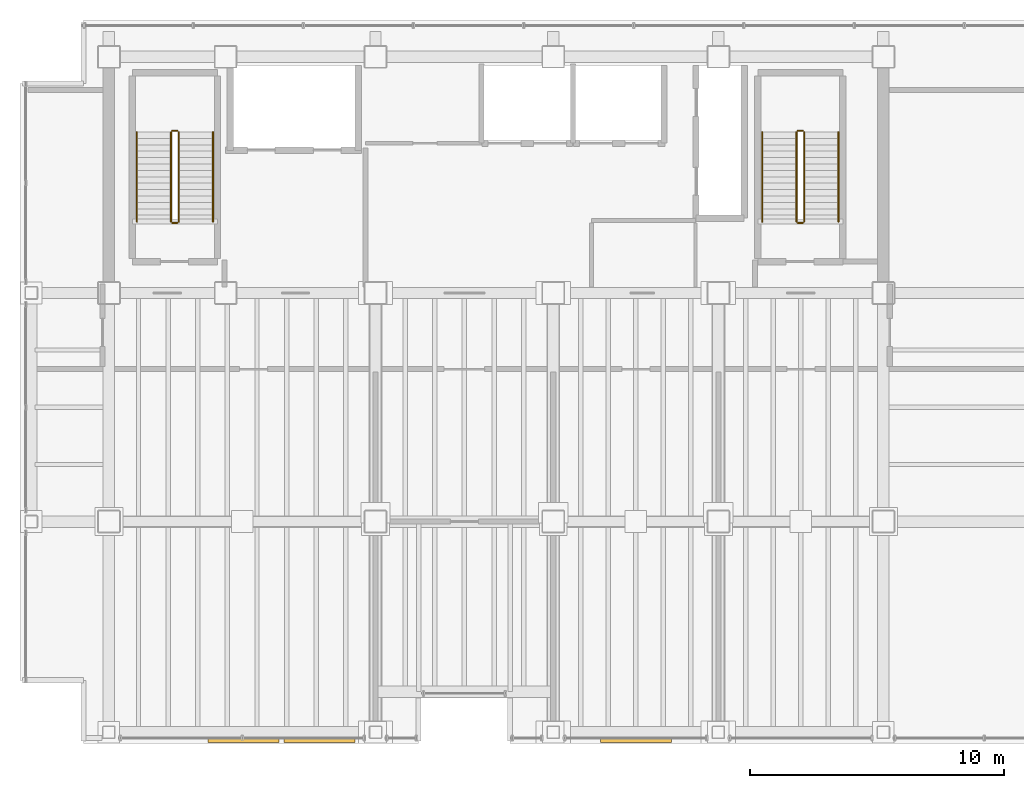
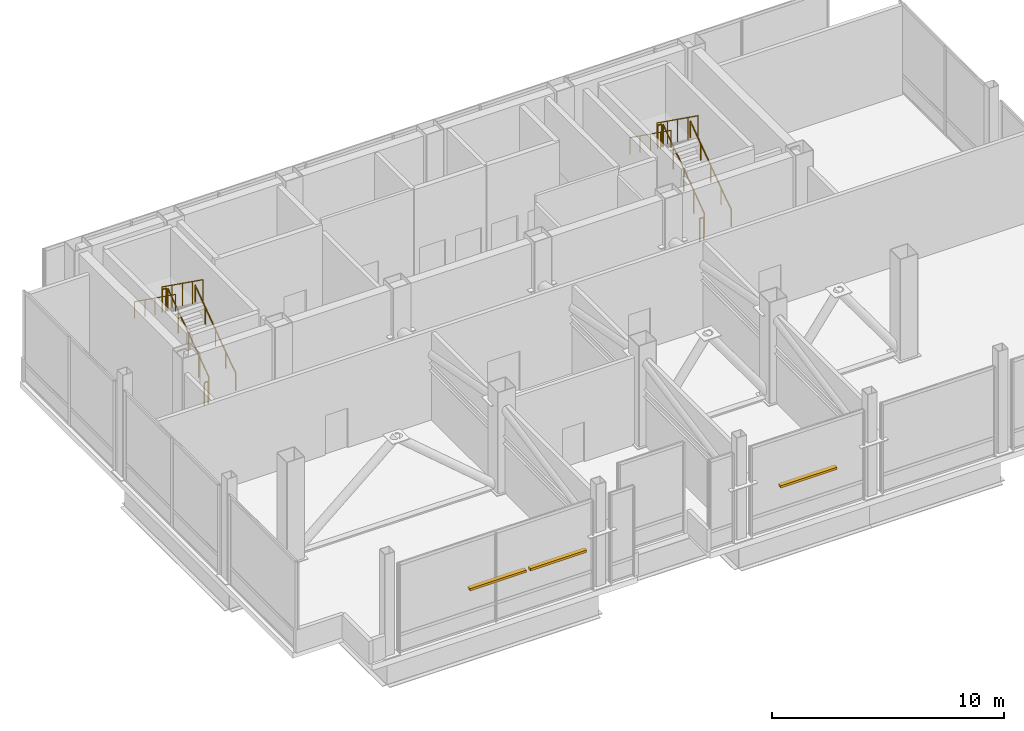
# One storey, part 18 of 18: 12 railings, 3 shading devices.
"""IFC4 building model written with IfcOpenShell, lengths in metres."""

from ifc_helpers import new_model, si_unit, direction, frame, origin, origin_2d, place, context, subcontext, project, spatial, rectangle, circle, extrude, material, layer, layer_set, type_object, element, save


model = new_model("IFC4")

# Units and contexts
model_context = context("Model", 3, precision=1e-05, world=origin(), true_north=direction((0.0, 1.0)))
body_context = subcontext(model_context, "Body", "Model", "MODEL_VIEW")
ifc_project = project(units=[si_unit("LENGTHUNIT", "METRE"), si_unit("AREAUNIT", "SQUARE_METRE"), si_unit("VOLUMEUNIT", "CUBIC_METRE"), si_unit("PLANEANGLEUNIT", "RADIAN"), si_unit("MASSUNIT", "GRAM", prefix="KILO")], contexts=[model_context])

# Site, building, storey
site_placement = place(None, origin())
site = spatial("IfcSite", under=ifc_project, at=site_placement, CompositionType="ELEMENT")
building_placement = place(site_placement, origin())
building = spatial("IfcBuilding", under=site, at=building_placement, Name="Noeulbin Bourse Tower", CompositionType="ELEMENT")
storey_placement = place(building_placement, frame((0.0, 0.0, 200.699951171875)))
storey = spatial("IfcBuildingStorey", under=building, at=storey_placement, Name="L50", CompositionType="ELEMENT", Elevation=200.699951171875)

# Railings
ifc_material_1 = material(Name="Painted Tubular Steel S355", Category="steel")
ifc_layer_1 = layer(ifc_material_1, 0.048095703125)
ifc_layer_set_1 = layer_set([ifc_layer_1], Name="Painted Tubular Steel S355")
railing_type_1 = type_object("IfcRailingType", Name="RLG-STR-GRD", PredefinedType="GUARDRAIL", material=ifc_layer_set_1)
railing_1_placement = place(storey_placement, frame((16.25, 31.81005859375, 0.179931640625)))
element("IfcRailing", 1, at=railing_1_placement, inside=storey, type_object=railing_type_1, Name="L50 ST-1 stair guard 1", PredefinedType="GUARDRAIL", context=body_context, shape_type="SweptSolid", body=[
    extrude(circle(Radius=0.02392578125, at=origin_2d()), frame((0.0, 0.0, 1.17578125), z_axis=(0.0, 0.813718251284, 0.581259501021), x_axis=(-1.0, 0.0, 0.0)), (0.0, 0.0, 1.0), 4.33544921875),
    extrude(circle(Radius=0.02099609375, at=origin_2d()), origin(), (0.0, 0.0, 1.0), 1.15185546875),
    extrude(circle(Radius=0.02099609375, at=origin_2d()), frame((0.0, 0.8818359375, 0.6298828125)), (0.0, 0.0, 1.0), 1.15185546875),
    extrude(circle(Radius=0.02099609375, at=origin_2d()), frame((0.0, 1.763916015625, 1.260009765625)), (0.0, 0.0, 1.0), 1.15185546875),
    extrude(circle(Radius=0.02099609375, at=origin_2d()), frame((0.0, 2.64599609375, 1.89013671875)), (0.0, 0.0, 1.0), 1.15185546875),
    extrude(circle(Radius=0.02099609375, at=origin_2d()), frame((0.0, 3.52783203125, 2.52001953125)), (0.0, 0.0, 1.0), 1.15185546875),
])
railing_2_placement = place(storey_placement, frame((16.199951171875, 35.387939453125, 2.699951171875)))
element("IfcRailing", 2, at=railing_2_placement, inside=storey, type_object=railing_type_1, Name="L50 ST-1 stair guard 2", PredefinedType="GUARDRAIL", context=body_context, shape_type="SweptSolid", body=[
    extrude(circle(Radius=0.02392578125, at=origin_2d()), frame((0.0, 0.0, 1.17578125), z_axis=(-1.0, 0.0, 0.0), x_axis=(0.0, -1.0, 0.0)), (0.0, 0.0, 1.0), 0.199951171875),
    extrude(circle(Radius=0.02099609375, at=origin_2d()), origin(), (0.0, 0.0, 1.0), 1.15185546875),
    extrude(circle(Radius=0.02099609375, at=origin_2d()), frame((-0.199951171875, 0.0, 0.0)), (0.0, 0.0, 1.0), 1.15185546875),
])
railing_3_placement = place(storey_placement, frame((15.949951171875, 35.337890625, 2.880126953125)))
element("IfcRailing", 3, at=railing_3_placement, inside=storey, type_object=railing_type_1, Name="L50 ST-1 stair guard 3", PredefinedType="GUARDRAIL", context=body_context, shape_type="SweptSolid", body=[
    extrude(circle(Radius=0.02392578125, at=origin_2d()), frame((0.0, 0.0, 1.17578125), z_axis=(0.0, -0.813718251284, 0.581259501021), x_axis=(1.0, 0.0, 0.0)), (0.0, 0.0, 1.0), 4.33544921875),
    extrude(circle(Radius=0.02099609375, at=origin_2d()), origin(), (0.0, 0.0, 1.0), 1.15185546875),
    extrude(circle(Radius=0.02099609375, at=origin_2d()), frame((0.0, -0.8818359375, 0.6298828125)), (0.0, 0.0, 1.0), 1.15185546875),
    extrude(circle(Radius=0.02099609375, at=origin_2d()), frame((0.0, -1.763916015625, 1.260009765625)), (0.0, 0.0, 1.0), 1.15185546875),
    extrude(circle(Radius=0.02099609375, at=origin_2d()), frame((0.0, -2.64599609375, 1.89013671875)), (0.0, 0.0, 1.0), 1.15185546875),
    extrude(circle(Radius=0.02099609375, at=origin_2d()), frame((0.0, -3.52783203125, 2.52001953125)), (0.0, 0.0, 1.0), 1.15185546875),
])
railing_4_placement = place(storey_placement, frame((16.199951171875, 31.760009765625, 0.0)))
element("IfcRailing", 4, at=railing_4_placement, inside=storey, type_object=railing_type_1, Name="L50 ST-1 stair guard 4", PredefinedType="GUARDRAIL", context=body_context, shape_type="SweptSolid", body=[
    extrude(circle(Radius=0.02392578125, at=origin_2d()), frame((0.0, 0.0, 1.17578125), z_axis=(-1.0, 0.0, 0.0), x_axis=(0.0, -1.0, 0.0)), (0.0, 0.0, 1.0), 0.199951171875),
    extrude(circle(Radius=0.02099609375, at=origin_2d()), origin(), (0.0, 0.0, 1.0), 1.15185546875),
    extrude(circle(Radius=0.02099609375, at=origin_2d()), frame((-0.199951171875, 0.0, 0.0)), (0.0, 0.0, 1.0), 1.15185546875),
])
railing_5_placement = place(storey_placement, frame((40.8798828125, 31.81005859375, 0.179931640625)))
element("IfcRailing", 5, at=railing_5_placement, inside=storey, type_object=railing_type_1, Name="L50 ST-2 stair guard 1", PredefinedType="GUARDRAIL", context=body_context, shape_type="SweptSolid", body=[
    extrude(circle(Radius=0.02392578125, at=origin_2d()), frame((0.0, 0.0, 1.17578125), z_axis=(0.0, 0.813718251284, 0.581259501021), x_axis=(-1.0, 0.0, 0.0)), (0.0, 0.0, 1.0), 4.33544921875),
    extrude(circle(Radius=0.02099609375, at=origin_2d()), origin(), (0.0, 0.0, 1.0), 1.15185546875),
    extrude(circle(Radius=0.02099609375, at=origin_2d()), frame((0.0, 0.8818359375, 0.6298828125)), (0.0, 0.0, 1.0), 1.15185546875),
    extrude(circle(Radius=0.02099609375, at=origin_2d()), frame((0.0, 1.763916015625, 1.260009765625)), (0.0, 0.0, 1.0), 1.15185546875),
    extrude(circle(Radius=0.02099609375, at=origin_2d()), frame((0.0, 2.64599609375, 1.89013671875)), (0.0, 0.0, 1.0), 1.15185546875),
    extrude(circle(Radius=0.02099609375, at=origin_2d()), frame((0.0, 3.52783203125, 2.52001953125)), (0.0, 0.0, 1.0), 1.15185546875),
])
railing_6_placement = place(storey_placement, frame((40.830078125, 35.387939453125, 2.699951171875)))
element("IfcRailing", 6, at=railing_6_placement, inside=storey, type_object=railing_type_1, Name="L50 ST-2 stair guard 2", PredefinedType="GUARDRAIL", context=body_context, shape_type="SweptSolid", body=[
    extrude(circle(Radius=0.02392578125, at=origin_2d()), frame((0.0, 0.0, 1.17578125), z_axis=(-1.0, 0.0, 0.0), x_axis=(0.0, -1.0, 0.0)), (0.0, 0.0, 1.0), 0.2001953125),
    extrude(circle(Radius=0.02099609375, at=origin_2d()), origin(), (0.0, 0.0, 1.0), 1.15185546875),
    extrude(circle(Radius=0.02099609375, at=origin_2d()), frame((-0.2001953125, 0.0, 0.0)), (0.0, 0.0, 1.0), 1.15185546875),
])
railing_7_placement = place(storey_placement, frame((40.580078125, 35.337890625, 2.880126953125)))
element("IfcRailing", 7, at=railing_7_placement, inside=storey, type_object=railing_type_1, Name="L50 ST-2 stair guard 3", PredefinedType="GUARDRAIL", context=body_context, shape_type="SweptSolid", body=[
    extrude(circle(Radius=0.02392578125, at=origin_2d()), frame((0.0, 0.0, 1.17578125), z_axis=(0.0, -0.813718251284, 0.581259501021), x_axis=(1.0, 0.0, 0.0)), (0.0, 0.0, 1.0), 4.33544921875),
    extrude(circle(Radius=0.02099609375, at=origin_2d()), origin(), (0.0, 0.0, 1.0), 1.15185546875),
    extrude(circle(Radius=0.02099609375, at=origin_2d()), frame((0.0, -0.8818359375, 0.6298828125)), (0.0, 0.0, 1.0), 1.15185546875),
    extrude(circle(Radius=0.02099609375, at=origin_2d()), frame((0.0, -1.763916015625, 1.260009765625)), (0.0, 0.0, 1.0), 1.15185546875),
    extrude(circle(Radius=0.02099609375, at=origin_2d()), frame((0.0, -2.64599609375, 1.89013671875)), (0.0, 0.0, 1.0), 1.15185546875),
    extrude(circle(Radius=0.02099609375, at=origin_2d()), frame((0.0, -3.52783203125, 2.52001953125)), (0.0, 0.0, 1.0), 1.15185546875),
])
railing_8_placement = place(storey_placement, frame((40.830078125, 31.760009765625, 0.0)))
element("IfcRailing", 8, at=railing_8_placement, inside=storey, type_object=railing_type_1, Name="L50 ST-2 stair guard 4", PredefinedType="GUARDRAIL", context=body_context, shape_type="SweptSolid", body=[
    extrude(circle(Radius=0.02392578125, at=origin_2d()), frame((0.0, 0.0, 1.17578125), z_axis=(-1.0, 0.0, 0.0), x_axis=(0.0, -1.0, 0.0)), (0.0, 0.0, 1.0), 0.2001953125),
    extrude(circle(Radius=0.02099609375, at=origin_2d()), origin(), (0.0, 0.0, 1.0), 1.15185546875),
    extrude(circle(Radius=0.02099609375, at=origin_2d()), frame((-0.2001953125, 0.0, 0.0)), (0.0, 0.0, 1.0), 1.15185546875),
])
ifc_material_2 = material(Name="Brushed Stainless Steel 316", Category="steel")
ifc_layer_2 = layer(ifc_material_2, 0.048095703125)
ifc_layer_set_2 = layer_set([ifc_layer_2], Name="Brushed Stainless Steel 316")
railing_type_2 = type_object("IfcRailingType", Name="RLG-STR-HND", PredefinedType="HANDRAIL", material=ifc_layer_set_2)
railing_9_placement = place(storey_placement, frame((17.60009765625, 31.81005859375, 0.179931640625)))
element("IfcRailing", 9, at=railing_9_placement, inside=storey, type_object=railing_type_2, Name="L50 ST-1 stair handrail 1", PredefinedType="HANDRAIL", context=body_context, shape_type="SweptSolid", body=[
    extrude(circle(Radius=0.02392578125, at=origin_2d()), frame((0.0, 0.0, 0.8759765625), z_axis=(0.0, 0.813718251284, 0.581259501021), x_axis=(-1.0, 0.0, 0.0)), (0.0, 0.0, 1.0), 4.33544921875),
    extrude(circle(Radius=0.02099609375, at=origin_2d()), origin(), (0.0, 0.0, 1.0), 0.851806640625),
    extrude(circle(Radius=0.02099609375, at=origin_2d()), frame((0.0, 0.8818359375, 0.6298828125)), (0.0, 0.0, 1.0), 0.851806640625),
    extrude(circle(Radius=0.02099609375, at=origin_2d()), frame((0.0, 1.763916015625, 1.260009765625)), (0.0, 0.0, 1.0), 0.851806640625),
    extrude(circle(Radius=0.02099609375, at=origin_2d()), frame((0.0, 2.64599609375, 1.89013671875)), (0.0, 0.0, 1.0), 0.851806640625),
    extrude(circle(Radius=0.02099609375, at=origin_2d()), frame((0.0, 3.52783203125, 2.52001953125)), (0.0, 0.0, 1.0), 0.851806640625),
])
railing_10_placement = place(storey_placement, frame((14.60009765625, 35.337890625, 2.880126953125)))
element("IfcRailing", 10, at=railing_10_placement, inside=storey, type_object=railing_type_2, Name="L50 ST-1 stair handrail 2", PredefinedType="HANDRAIL", context=body_context, shape_type="SweptSolid", body=[
    extrude(circle(Radius=0.02392578125, at=origin_2d()), frame((0.0, 0.0, 0.8759765625), z_axis=(0.0, -0.813718251284, 0.581259501021), x_axis=(1.0, 0.0, 0.0)), (0.0, 0.0, 1.0), 4.33544921875),
    extrude(circle(Radius=0.02099609375, at=origin_2d()), origin(), (0.0, 0.0, 1.0), 0.851806640625),
    extrude(circle(Radius=0.02099609375, at=origin_2d()), frame((0.0, -0.8818359375, 0.6298828125)), (0.0, 0.0, 1.0), 0.851806640625),
    extrude(circle(Radius=0.02099609375, at=origin_2d()), frame((0.0, -1.763916015625, 1.260009765625)), (0.0, 0.0, 1.0), 0.851806640625),
    extrude(circle(Radius=0.02099609375, at=origin_2d()), frame((0.0, -2.64599609375, 1.89013671875)), (0.0, 0.0, 1.0), 0.851806640625),
    extrude(circle(Radius=0.02099609375, at=origin_2d()), frame((0.0, -3.52783203125, 2.52001953125)), (0.0, 0.0, 1.0), 0.851806640625),
])
railing_11_placement = place(storey_placement, frame((42.22998046875, 31.81005859375, 0.179931640625)))
element("IfcRailing", 11, at=railing_11_placement, inside=storey, type_object=railing_type_2, Name="L50 ST-2 stair handrail 1", PredefinedType="HANDRAIL", context=body_context, shape_type="SweptSolid", body=[
    extrude(circle(Radius=0.02392578125, at=origin_2d()), frame((0.0, 0.0, 0.8759765625), z_axis=(0.0, 0.813718251284, 0.581259501021), x_axis=(-1.0, 0.0, 0.0)), (0.0, 0.0, 1.0), 4.33544921875),
    extrude(circle(Radius=0.02099609375, at=origin_2d()), origin(), (0.0, 0.0, 1.0), 0.851806640625),
    extrude(circle(Radius=0.02099609375, at=origin_2d()), frame((0.0, 0.8818359375, 0.6298828125)), (0.0, 0.0, 1.0), 0.851806640625),
    extrude(circle(Radius=0.02099609375, at=origin_2d()), frame((0.0, 1.763916015625, 1.260009765625)), (0.0, 0.0, 1.0), 0.851806640625),
    extrude(circle(Radius=0.02099609375, at=origin_2d()), frame((0.0, 2.64599609375, 1.89013671875)), (0.0, 0.0, 1.0), 0.851806640625),
    extrude(circle(Radius=0.02099609375, at=origin_2d()), frame((0.0, 3.52783203125, 2.52001953125)), (0.0, 0.0, 1.0), 0.851806640625),
])
railing_12_placement = place(storey_placement, frame((39.22998046875, 35.337890625, 2.880126953125)))
element("IfcRailing", 12, at=railing_12_placement, inside=storey, type_object=railing_type_2, Name="L50 ST-2 stair handrail 2", PredefinedType="HANDRAIL", context=body_context, shape_type="SweptSolid", body=[
    extrude(circle(Radius=0.02392578125, at=origin_2d()), frame((0.0, 0.0, 0.8759765625), z_axis=(0.0, -0.813718251284, 0.581259501021), x_axis=(1.0, 0.0, 0.0)), (0.0, 0.0, 1.0), 4.33544921875),
    extrude(circle(Radius=0.02099609375, at=origin_2d()), origin(), (0.0, 0.0, 1.0), 0.851806640625),
    extrude(circle(Radius=0.02099609375, at=origin_2d()), frame((0.0, -0.8818359375, 0.6298828125)), (0.0, 0.0, 1.0), 0.851806640625),
    extrude(circle(Radius=0.02099609375, at=origin_2d()), frame((0.0, -1.763916015625, 1.260009765625)), (0.0, 0.0, 1.0), 0.851806640625),
    extrude(circle(Radius=0.02099609375, at=origin_2d()), frame((0.0, -2.64599609375, 1.89013671875)), (0.0, 0.0, 1.0), 0.851806640625),
    extrude(circle(Radius=0.02099609375, at=origin_2d()), frame((0.0, -3.52783203125, 2.52001953125)), (0.0, 0.0, 1.0), 0.851806640625),
])

# Shading devices
ifc_material_3 = material(Name="Fluoropolymer Coated Aluminium 6063-T6", Category="aluminium")
ifc_layer_3 = layer(ifc_material_3, 0.1201171875)
ifc_layer_set_3 = layer_set([ifc_layer_3], Name="Fluoropolymer Coated Aluminium 6063-T6")
shading_device_type = type_object("IfcShadingDeviceType", Name="SHD-LVR-300", PredefinedType="USERDEFINED", material=ifc_layer_set_3)
for number, where, z_axis, x_axis, name in (
    (13, (18.800048828125, 11.409912109375, 2.139892578125), (0.0, 0.0, 1.0), (1.0, 0.0, 0.0), "Intake Weather Louvre LV-L50-1"),
    (14, (21.800048828125, 11.409912109375, 2.139892578125), (0.0, 0.0, 1.0), (1.0, 0.0, 0.0), "Intake Weather Louvre LV-L50-2"),
    (15, (34.25, 11.409912109375, 2.139892578125), (0.0, 0.0, 1.0), (1.0, 0.0, 0.0), "Intake Weather Louvre LV-L50-3"),
):
    element("IfcShadingDevice", number, at=place(storey_placement, frame(where, z_axis=z_axis, x_axis=x_axis)), inside=storey, type_object=shading_device_type, Name=name, ObjectType="LOUVRE", PredefinedType="USERDEFINED", context=body_context, shape_type="SweptSolid", body=[
        extrude(rectangle(XDim=2.800048828125, YDim=0.219970703125, at=origin_2d()), origin(), (0.0, 0.0, 1.0), 0.1201171875),
    ])

save(model, "model.ifc")
